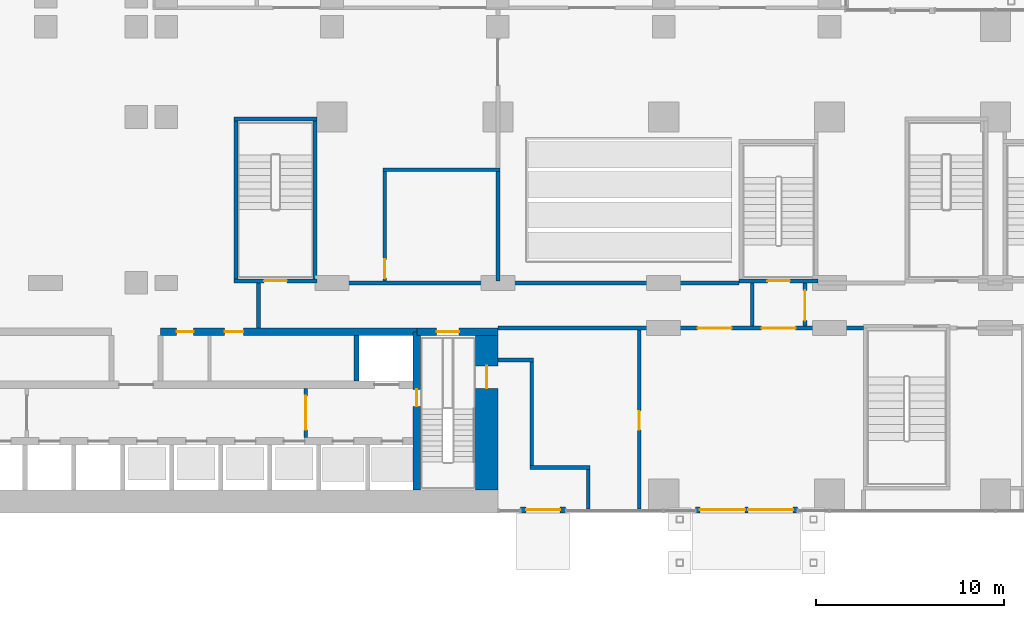
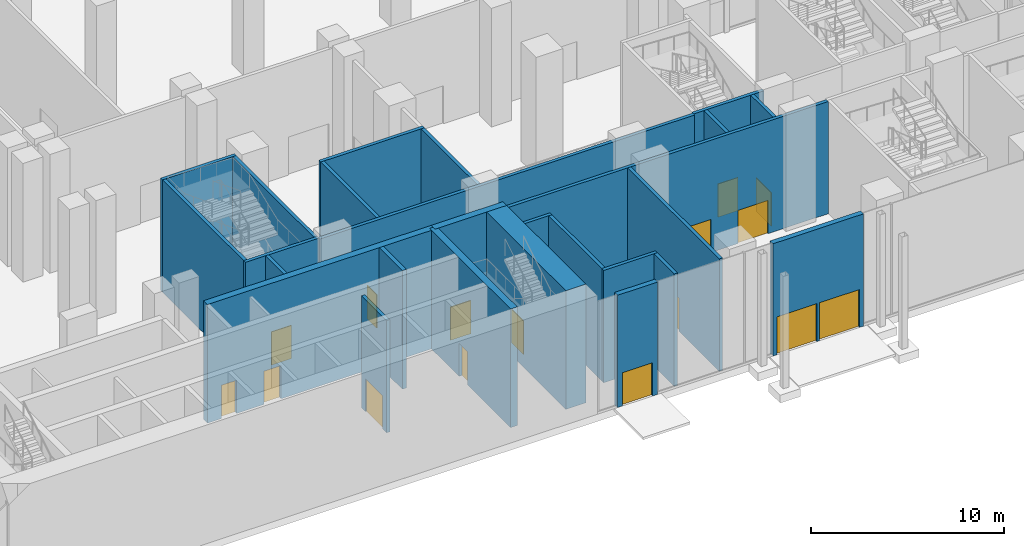
# One storey, part 25 of 41: 26 walls, 16 doors, 16 openings.
"""IFC4 building model written with IfcOpenShell, lengths in metres."""

from ifc_helpers import new_model, si_unit, direction, frame, frame_2d, origin, place, context, subcontext, project, spatial, rectangle, extrude, material, layer, layer_set, type_object, element, fill, save


model = new_model("IFC4")

# Units and contexts
model_context = context("Model", 3, precision=1e-05, world=origin(), true_north=direction((0.0, 1.0)))
body_context = subcontext(model_context, "Body", "Model", "MODEL_VIEW")
ifc_project = project(units=[si_unit("LENGTHUNIT", "METRE"), si_unit("AREAUNIT", "SQUARE_METRE"), si_unit("VOLUMEUNIT", "CUBIC_METRE"), si_unit("PLANEANGLEUNIT", "RADIAN"), si_unit("MASSUNIT", "GRAM", prefix="KILO")], contexts=[model_context])

# Site, building, storey
site_placement = place(None, origin())
site = spatial("IfcSite", under=ifc_project, at=site_placement, CompositionType="ELEMENT")
building_placement = place(site_placement, origin())
building = spatial("IfcBuilding", under=site, at=building_placement, Name="Kemantara Hotel Tower", CompositionType="ELEMENT")
storey_placement = place(building_placement, origin())
storey = spatial("IfcBuildingStorey", under=building, at=storey_placement, Name="L00", CompositionType="ELEMENT", Elevation=0.0)

# Wall, openings, doors
ifc_material_1 = material(Name="Bronze-clad aluminium panel", Category="aluminium")
ifc_layer_1 = layer(ifc_material_1, 0.300048828125)
ifc_layer_set_1 = layer_set([ifc_layer_1], Name="Bronze-clad aluminium panel")
wall_type_1 = type_object("IfcWallType", Name="BRONZE-CLAD EXTERNAL WALL 300", PredefinedType="STANDARD", material=ifc_layer_set_1)
wall_1_placement = place(storey_placement, frame((60.89990234375, 0.14990234375, 0.0), z_axis=(0.0, 0.0, 1.0), x_axis=(-1.0, 0.0, 0.0)))
wall_1 = element("IfcWall", 1, at=wall_1_placement, inside=storey, type_object=wall_type_1, Name="EXTERNAL WALL AT ENTRANCE", PredefinedType="STANDARD", context=body_context, shape_type="SweptSolid", body=[
    extrude(rectangle(XDim=5.39990234375, YDim=0.300048828125, at=frame_2d((2.699951171875, 0.0))), origin(), (0.0, 0.0, 1.0), 7.10009765625),
])
opening_1_placement = place(wall_1_placement, frame((0.22509765625, 0.0, 0.0)))
opening_1 = element("IfcOpeningElement", 2, at=opening_1_placement, cuts=wall_1, Name="Opening L00-B037", PredefinedType="OPENING", context=body_context, shape_type="SweptSolid", body=[
    extrude(rectangle(XDim=2.39990234375, YDim=2.39990234375, at=frame_2d((1.199951171875, 1.199951171875))), frame((0.0, 0.159912109375, 0.0), z_axis=(0.0, -1.0, 0.0), x_axis=(1.0, 0.0, 0.0)), (0.0, 0.0, 1.0), 0.320068359375),
])
opening_2_placement = place(wall_1_placement, frame((2.77490234375, 0.0, 0.0)))
opening_2 = element("IfcOpeningElement", 3, at=opening_2_placement, cuts=wall_1, Name="Opening L00-B038", PredefinedType="OPENING", context=body_context, shape_type="SweptSolid", body=[
    extrude(rectangle(XDim=2.39990234375, YDim=2.39990234375, at=frame_2d((1.199951171875, 1.199951171875))), frame((0.0, 0.159912109375, 0.0), z_axis=(0.0, -1.0, 0.0), x_axis=(1.0, 0.0, 0.0)), (0.0, 0.0, 1.0), 0.320068359375),
])
ifc_material_2 = material(Name="Toughened glass door leaf", Category="glass")
door_type_1 = type_object("IfcDoorType", Name="AUTOMATIC SLIDING GLASS DOOR 2400 X 2400", OperationType="DOUBLE_DOOR_SLIDING", PredefinedType="DOOR", material=ifc_material_2)
door_1_placement = place(opening_1_placement, origin())
door_1 = element("IfcDoor", 4, at=door_1_placement, inside=storey, type_object=door_type_1, Name="ENTRANCE DOOR", OperationType="DOUBLE_DOOR_SLIDING", OverallHeight=2.39990234375, OverallWidth=2.39990234375, PredefinedType="DOOR", context=body_context, shape_type="SweptSolid", body=[
    extrude(rectangle(XDim=2.39990234375, YDim=2.39990234375, at=frame_2d((1.199951171875, 1.199951171875))), frame((0.0, 0.02490234375, 0.0), z_axis=(0.0, -1.0, 0.0), x_axis=(1.0, 0.0, 0.0)), (0.0, 0.0, 1.0), 0.050048828125),
])
fill(opening_1, door_1)
door_2_placement = place(opening_2_placement, origin())
door_2 = element("IfcDoor", 5, at=door_2_placement, inside=storey, type_object=door_type_1, Name="ENTRANCE DOOR", OperationType="DOUBLE_DOOR_SLIDING", OverallHeight=2.39990234375, OverallWidth=2.39990234375, PredefinedType="DOOR", context=body_context, shape_type="SweptSolid", body=[
    extrude(rectangle(XDim=2.39990234375, YDim=2.39990234375, at=frame_2d((1.199951171875, 1.199951171875))), frame((0.0, 0.02490234375, 0.0), z_axis=(0.0, -1.0, 0.0), x_axis=(1.0, 0.0, 0.0)), (0.0, 0.0, 1.0), 0.050048828125),
])
fill(opening_2, door_2)

# Wall, opening, door
wall_2_placement = place(storey_placement, frame((48.60009765625, 0.14990234375, 0.0), z_axis=(0.0, 0.0, 1.0), x_axis=(-1.0, 0.0, 0.0)))
wall_2 = element("IfcWall", 6, at=wall_2_placement, inside=storey, type_object=wall_type_1, Name="EXTERNAL WALL AT ENTRANCE", PredefinedType="STANDARD", context=body_context, shape_type="SweptSolid", body=[
    extrude(rectangle(XDim=2.400146484375, YDim=0.300048828125, at=frame_2d((1.2001953125, 0.0))), origin(), (0.0, 0.0, 1.0), 7.10009765625),
])
opening_3_placement = place(wall_2_placement, frame((0.300048828125, 0.0, 0.0)))
opening_3 = element("IfcOpeningElement", 7, at=opening_3_placement, cuts=wall_2, Name="Opening L00-B041", PredefinedType="OPENING", context=body_context, shape_type="SweptSolid", body=[
    extrude(rectangle(XDim=1.800048828125, YDim=2.10009765625, at=frame_2d((0.89990234375, 1.050048828125))), frame((0.0, 0.159912109375, 0.0), z_axis=(0.0, -1.0, 0.0), x_axis=(1.0, 0.0, 0.0)), (0.0, 0.0, 1.0), 0.320068359375),
])
ifc_material_3 = material(Name="Galvanised steel door leaf", Category="steel")
door_type_2 = type_object("IfcDoorType", Name="FIRE-RATED STEEL DOOR DOUBLE LEAF 1800 X 2100", OperationType="DOUBLE_DOOR_SINGLE_SWING", PredefinedType="DOOR", material=ifc_material_3)
door_3_placement = place(opening_3_placement, origin())
door_3 = element("IfcDoor", 8, at=door_3_placement, inside=storey, type_object=door_type_2, Name="ENTRANCE DOOR", OperationType="DOUBLE_DOOR_SINGLE_SWING", OverallHeight=2.10009765625, OverallWidth=1.800048828125, PredefinedType="DOOR", context=body_context, shape_type="SweptSolid", body=[
    extrude(rectangle(XDim=1.800048828125, YDim=2.10009765625, at=frame_2d((0.89990234375, 1.050048828125))), frame((0.0, 0.02490234375, 0.0), z_axis=(0.0, -1.0, 0.0), x_axis=(1.0, 0.0, 0.0)), (0.0, 0.0, 1.0), 0.050048828125),
])
fill(opening_3, door_3)

ifc_material_4 = material(Name="Concrete fc 70 MPa", Category="concrete")
ifc_layer_2 = layer(ifc_material_4, 1.199951171875)
ifc_layer_set_2 = layer_set([ifc_layer_2], Name="Concrete fc 70 MPa")
wall_type_2 = type_object("IfcWallType", Name="CORE WALL 1200 FC70", PredefinedType="SHEAR", material=ifc_layer_set_2)
wall_3_placement = place(storey_placement, frame((44.39990234375, 1.199951171875, 0.0), z_axis=(0.0, 0.0, 1.0), x_axis=(0.0, 1.0, 0.0)))
wall_3 = element("IfcWall", 9, at=wall_3_placement, inside=storey, type_object=wall_type_2, Name="CORE WALL CW-E", PredefinedType="SHEAR", context=body_context, shape_type="SweptSolid", body=[
    extrude(rectangle(XDim=8.60009765625, YDim=1.199951171875, at=frame_2d((4.300048828125, 0.0))), origin(), (0.0, 0.0, 1.0), 7.5),
])
opening_4_placement = place(wall_3_placement, frame((5.39990234375, 0.0, 0.0)))
opening_4 = element("IfcOpeningElement", 10, at=opening_4_placement, cuts=wall_3, Name="Opening ST2-X", PredefinedType="OPENING", context=body_context, shape_type="SweptSolid", body=[
    extrude(rectangle(XDim=1.199951171875, YDim=2.10009765625, at=frame_2d((0.60009765625, 1.050048828125))), frame((0.0, 0.60986328125, 0.0), z_axis=(0.0, -1.0, 0.0), x_axis=(1.0, 0.0, 0.0)), (0.0, 0.0, 1.0), 1.219970703125),
])
ifc_material_5 = material(Name="Steel fire door", Category="steel")
door_type_3 = type_object("IfcDoorType", Name="Fire door FD90 1200 x 2100", OperationType="NOTDEFINED", PredefinedType="DOOR", material=ifc_material_5)
door_4_placement = place(opening_4_placement, frame((1.199951171875, 0.0, 0.0), z_axis=(0.0, 0.0, 1.0), x_axis=(-1.0, 0.0, 0.0)))
door_4 = element("IfcDoor", 11, at=door_4_placement, inside=storey, type_object=door_type_3, Name="Stair ST2 exit door to its exit passage", OperationType="SINGLE_SWING_LEFT", OverallHeight=2.10009765625, OverallWidth=1.199951171875, PredefinedType="DOOR", context=body_context, shape_type="SweptSolid", body=[
    extrude(rectangle(XDim=1.199951171875, YDim=2.10009765625, at=frame_2d((0.60009765625, 1.050048828125))), frame((0.0, 0.02490234375, 0.0), z_axis=(0.0, -1.0, 0.0), x_axis=(1.0, 0.0, 0.0)), (0.0, 0.0, 1.0), 0.050048828125),
])
fill(opening_4, door_4)

# Wall
ifc_layer_3 = layer(ifc_material_4, 0.25)
ifc_layer_set_3 = layer_set([ifc_layer_3], Name="Concrete fc 70 MPa")
wall_type_3 = type_object("IfcWallType", Name="CORE WALL 250 FC70", PredefinedType="SHEAR", material=ifc_layer_set_3)
wall_4_placement = place(storey_placement, frame((37.5, 7.0, 0.0), z_axis=(0.0, 0.0, 1.0), x_axis=(0.0, 1.0, 0.0)))
element("IfcWall", 12, at=wall_4_placement, inside=storey, type_object=wall_type_3, Name="CORE WALL CW-DN37.5", PredefinedType="SHEAR", context=body_context, shape_type="SweptSolid", body=[
    extrude(rectangle(XDim=2.39990234375, YDim=0.25, at=frame_2d((1.199951171875, 0.0))), origin(), (0.0, 0.0, 1.0), 7.5),
])

# Wall, opening, door
ifc_layer_4 = layer(ifc_material_4, 0.39990234375)
ifc_layer_set_4 = layer_set([ifc_layer_4], Name="Concrete fc 70 MPa")
wall_type_4 = type_object("IfcWallType", Name="CORE WALL 400 FC70", PredefinedType="SHEAR", material=ifc_layer_set_4)
wall_5_placement = place(storey_placement, frame((40.699951171875, 9.60009765625, 0.0), z_axis=(0.0, 0.0, 1.0), x_axis=(1.0, 0.0, 0.0)))
wall_5 = element("IfcWall", 13, at=wall_5_placement, inside=storey, type_object=wall_type_4, Name="CORE WALL CW-N2", PredefinedType="SHEAR", context=body_context, shape_type="SweptSolid", body=[
    extrude(rectangle(XDim=4.300048828125, YDim=0.39990234375, at=frame_2d((2.14990234375, 0.0))), origin(), (0.0, 0.0, 1.0), 7.5),
])
opening_5_placement = place(wall_5_placement, frame((1.050048828125, 0.0, 0.0)))
opening_5 = element("IfcOpeningElement", 14, at=opening_5_placement, cuts=wall_5, Name="Opening C03-ST2-C", PredefinedType="OPENING", context=body_context, shape_type="SweptSolid", body=[
    extrude(rectangle(XDim=1.199951171875, YDim=2.10009765625, at=frame_2d((0.60009765625, 1.050048828125))), frame((0.0, 0.2099609375, 0.0), z_axis=(0.0, -1.0, 0.0), x_axis=(1.0, 0.0, 0.0)), (0.0, 0.0, 1.0), 0.419921875),
])
door_5_placement = place(opening_5_placement, origin())
door_5 = element("IfcDoor", 15, at=door_5_placement, inside=storey, type_object=door_type_3, Name="Stair ST2 door to corridor", OperationType="SINGLE_SWING_LEFT", OverallHeight=2.10009765625, OverallWidth=1.199951171875, PredefinedType="DOOR", context=body_context, shape_type="SweptSolid", body=[
    extrude(rectangle(XDim=1.199951171875, YDim=2.10009765625, at=frame_2d((0.60009765625, 1.050048828125))), frame((0.0, 0.02490234375, 0.0), z_axis=(0.0, -1.0, 0.0), x_axis=(1.0, 0.0, 0.0)), (0.0, 0.0, 1.0), 0.050048828125),
])
fill(opening_5, door_5)

# Wall, openings, doors
wall_6_placement = place(storey_placement, frame((27.10009765625, 9.60009765625, 0.0), z_axis=(0.0, 0.0, 1.0), x_axis=(1.0, 0.0, 0.0)))
wall_6 = element("IfcWall", 16, at=wall_6_placement, inside=storey, type_object=wall_type_4, Name="CORE WALL CW-NN2", PredefinedType="SHEAR", context=body_context, shape_type="SweptSolid", body=[
    extrude(rectangle(XDim=13.599853515625, YDim=0.39990234375, at=frame_2d((6.7998046875, 0.0))), origin(), (0.0, 0.0, 1.0), 7.5),
])
opening_6_placement = place(wall_6_placement, frame((0.85009765625, 0.0, 0.0)))
opening_6 = element("IfcOpeningElement", 17, at=opening_6_placement, cuts=wall_6, Name="Opening C03-R-NE1", PredefinedType="OPENING", context=body_context, shape_type="SweptSolid", body=[
    extrude(rectangle(XDim=0.89990234375, YDim=2.10009765625, at=frame_2d((0.449951171875, 1.050048828125))), frame((0.0, 0.2099609375, 0.0), z_axis=(0.0, -1.0, 0.0), x_axis=(1.0, 0.0, 0.0)), (0.0, 0.0, 1.0), 0.419921875),
])
opening_7_placement = place(wall_6_placement, frame((3.39990234375, 0.0, 0.0)))
opening_7 = element("IfcOpeningElement", 18, at=opening_7_placement, cuts=wall_6, Name="Opening C03-R-NE2", PredefinedType="OPENING", context=body_context, shape_type="SweptSolid", body=[
    extrude(rectangle(XDim=1.0, YDim=2.10009765625, at=frame_2d((0.5, 1.050048828125))), frame((0.0, 0.2099609375, 0.0), z_axis=(0.0, -1.0, 0.0), x_axis=(1.0, 0.0, 0.0)), (0.0, 0.0, 1.0), 0.419921875),
])
door_type_4 = type_object("IfcDoorType", Name="Fire door FD30S 1000 x 2100", OperationType="NOTDEFINED", PredefinedType="DOOR", material=ifc_material_5)
door_6_placement = place(opening_7_placement, frame((1.0, 0.0, 0.0), z_axis=(0.0, 0.0, 1.0), x_axis=(-1.0, 0.0, 0.0)))
door_6 = element("IfcDoor", 19, at=door_6_placement, inside=storey, type_object=door_type_4, Name="Guest Pantry door", OperationType="SINGLE_SWING_RIGHT", OverallHeight=2.10009765625, OverallWidth=1.0, PredefinedType="DOOR", context=body_context, shape_type="SweptSolid", body=[
    extrude(rectangle(XDim=1.0, YDim=2.10009765625, at=frame_2d((0.5, 1.050048828125))), frame((0.0, 0.02490234375, 0.0), z_axis=(0.0, -1.0, 0.0), x_axis=(1.0, 0.0, 0.0)), (0.0, 0.0, 1.0), 0.050048828125),
])
fill(opening_7, door_6)
door_type_5 = type_object("IfcDoorType", Name="Fire door FD60 900 x 2100", OperationType="NOTDEFINED", PredefinedType="DOOR", material=ifc_material_5)
door_7_placement = place(opening_6_placement, frame((0.89990234375, 0.0, 0.0), z_axis=(0.0, 0.0, 1.0), x_axis=(-1.0, 0.0, 0.0)))
door_7 = element("IfcDoor", 20, at=door_7_placement, inside=storey, type_object=door_type_5, Name="Electrical Riser Room door", OperationType="SINGLE_SWING_RIGHT", OverallHeight=2.10009765625, OverallWidth=0.89990234375, PredefinedType="DOOR", context=body_context, shape_type="SweptSolid", body=[
    extrude(rectangle(XDim=0.89990234375, YDim=2.10009765625, at=frame_2d((0.449951171875, 1.050048828125))), frame((0.0, 0.02490234375, 0.0), z_axis=(0.0, -1.0, 0.0), x_axis=(1.0, 0.0, 0.0)), (0.0, 0.0, 1.0), 0.050048828125),
])
fill(opening_6, door_7)

# Wall, opening, door
wall_7_placement = place(storey_placement, frame((40.699951171875, 1.199951171875, 0.0), z_axis=(0.0, 0.0, 1.0), x_axis=(0.0, 1.0, 0.0)))
wall_7 = element("IfcWall", 21, at=wall_7_placement, inside=storey, type_object=wall_type_4, Name="CORE WALL CW-ST2W", PredefinedType="SHEAR", context=body_context, shape_type="SweptSolid", body=[
    extrude(rectangle(XDim=8.400146484375, YDim=0.39990234375, at=frame_2d((4.2001953125, 0.0))), origin(), (0.0, 0.0, 1.0), 7.5),
])
opening_8_placement = place(wall_7_placement, frame((4.449951171875, 0.0, 0.0)))
opening_8 = element("IfcOpeningElement", 22, at=opening_8_placement, cuts=wall_7, Name="Opening C03-ST2-F", PredefinedType="OPENING", context=body_context, shape_type="SweptSolid", body=[
    extrude(rectangle(XDim=0.89990234375, YDim=2.10009765625, at=frame_2d((0.449951171875, 1.050048828125))), frame((0.0, 0.2099609375, 0.0), z_axis=(0.0, -1.0, 0.0), x_axis=(1.0, 0.0, 0.0)), (0.0, 0.0, 1.0), 0.419921875),
])
door_type_6 = type_object("IfcDoorType", Name="Fire door FD90 900 x 2100", OperationType="NOTDEFINED", PredefinedType="DOOR", material=ifc_material_5)
door_8_placement = place(opening_8_placement, origin())
door_8 = element("IfcDoor", 23, at=door_8_placement, inside=storey, type_object=door_type_6, Name="Stair ST2 door to firefighting lobby", OperationType="SINGLE_SWING_RIGHT", OverallHeight=2.10009765625, OverallWidth=0.89990234375, PredefinedType="DOOR", context=body_context, shape_type="SweptSolid", body=[
    extrude(rectangle(XDim=0.89990234375, YDim=2.10009765625, at=frame_2d((0.449951171875, 1.050048828125))), frame((0.0, 0.02490234375, 0.0), z_axis=(0.0, -1.0, 0.0), x_axis=(1.0, 0.0, 0.0)), (0.0, 0.0, 1.0), 0.050048828125),
])
fill(opening_8, door_8)

ifc_material_6 = material(Name="Concrete fc 40 MPa", Category="concrete")
ifc_layer_5 = layer(ifc_material_6, 0.199951171875)
ifc_layer_set_5 = layer_set([ifc_layer_5], Name="Concrete fc 40 MPa")
wall_type_5 = type_object("IfcWallType", Name="Concrete stair wall 200 mm", PredefinedType="SHEAR", material=ifc_layer_set_5)
wall_8_placement = place(storey_placement, frame((57.800048828125, 12.300048828125, 0.0), z_axis=(0.0, 0.0, 1.0), x_axis=(1.0, 0.0, 0.0)))
wall_8 = element("IfcWall", 24, at=wall_8_placement, inside=storey, type_object=wall_type_5, Name="Stair ST3 enclosure wall with door", PredefinedType="SHEAR", context=body_context, shape_type="SweptSolid", body=[
    extrude(rectangle(XDim=4.199951171875, YDim=0.199951171875, at=frame_2d((2.10009765625, 0.0))), origin(), (0.0, 0.0, 1.0), 7.10009765625),
])
opening_9_placement = place(wall_8_placement, frame((1.5, 0.0, 0.0)))
opening_9 = element("IfcOpeningElement", 25, at=opening_9_placement, cuts=wall_8, Name="Opening ST3-C", PredefinedType="OPENING", context=body_context, shape_type="SweptSolid", body=[
    extrude(rectangle(XDim=1.199951171875, YDim=2.10009765625, at=frame_2d((0.60009765625, 1.050048828125))), frame((0.0, 0.10986328125, 0.0), z_axis=(0.0, -1.0, 0.0), x_axis=(1.0, 0.0, 0.0)), (0.0, 0.0, 1.0), 0.219970703125),
])
door_9_placement = place(opening_9_placement, frame((1.199951171875, 0.0, 0.0), z_axis=(0.0, 0.0, 1.0), x_axis=(-1.0, 0.0, 0.0)))
door_9 = element("IfcDoor", 26, at=door_9_placement, inside=storey, type_object=door_type_3, Name="Stair ST3 door", OperationType="SINGLE_SWING_LEFT", OverallHeight=2.10009765625, OverallWidth=1.199951171875, PredefinedType="DOOR", context=body_context, shape_type="SweptSolid", body=[
    extrude(rectangle(XDim=1.199951171875, YDim=2.10009765625, at=frame_2d((0.60009765625, 1.050048828125))), frame((0.0, 0.02490234375, 0.0), z_axis=(0.0, -1.0, 0.0), x_axis=(1.0, 0.0, 0.0)), (0.0, 0.0, 1.0), 0.050048828125),
])
fill(opening_9, door_9)

wall_9_placement = place(storey_placement, frame((31.0, 12.300048828125, 0.0), z_axis=(0.0, 0.0, 1.0), x_axis=(1.0, 0.0, 0.0)))
wall_9 = element("IfcWall", 27, at=wall_9_placement, inside=storey, type_object=wall_type_5, Name="Stair PS3 enclosure wall with door", PredefinedType="SHEAR", context=body_context, shape_type="SweptSolid", body=[
    extrude(rectangle(XDim=4.39990234375, YDim=0.199951171875, at=frame_2d((2.199951171875, 0.0))), origin(), (0.0, 0.0, 1.0), 7.10009765625),
])
opening_10_placement = place(wall_9_placement, frame((1.60009765625, 0.0, 0.0)))
opening_10 = element("IfcOpeningElement", 28, at=opening_10_placement, cuts=wall_9, Name="Opening PS3-C", PredefinedType="OPENING", context=body_context, shape_type="SweptSolid", body=[
    extrude(rectangle(XDim=1.199951171875, YDim=2.10009765625, at=frame_2d((0.60009765625, 1.050048828125))), frame((0.0, 0.10986328125, 0.0), z_axis=(0.0, -1.0, 0.0), x_axis=(1.0, 0.0, 0.0)), (0.0, 0.0, 1.0), 0.219970703125),
])
door_10_placement = place(opening_10_placement, frame((1.199951171875, 0.0, 0.0), z_axis=(0.0, 0.0, 1.0), x_axis=(-1.0, 0.0, 0.0)))
door_10 = element("IfcDoor", 29, at=door_10_placement, inside=storey, type_object=door_type_3, Name="Stair PS3 door", OperationType="SINGLE_SWING_RIGHT", OverallHeight=2.10009765625, OverallWidth=1.199951171875, PredefinedType="DOOR", context=body_context, shape_type="SweptSolid", body=[
    extrude(rectangle(XDim=1.199951171875, YDim=2.10009765625, at=frame_2d((0.60009765625, 1.050048828125))), frame((0.0, 0.02490234375, 0.0), z_axis=(0.0, -1.0, 0.0), x_axis=(1.0, 0.0, 0.0)), (0.0, 0.0, 1.0), 0.050048828125),
])
fill(opening_10, door_10)

# Walls
wall_10_placement = place(storey_placement, frame((31.0, 20.89990234375, 0.0), z_axis=(0.0, 0.0, 1.0), x_axis=(1.0, 0.0, 0.0)))
element("IfcWall", 30, at=wall_10_placement, inside=storey, type_object=wall_type_5, Name="Stair PS3 enclosure wall N", PredefinedType="SHEAR", context=body_context, shape_type="SweptSolid", body=[
    extrude(rectangle(XDim=4.39990234375, YDim=0.199951171875, at=frame_2d((2.199951171875, 0.0))), origin(), (0.0, 0.0, 1.0), 7.10009765625),
])
for number, where, z_axis, x_axis, name in (
    (31, (31.10009765625, 12.39990234375, 0.0), (0.0, 0.0, 1.0), (0.0, 1.0, 0.0), "Stair PS3 enclosure wall W"),
    (32, (35.300048828125, 12.39990234375, 0.0), (0.0, 0.0, 1.0), (0.0, 1.0, 0.0), "Stair PS3 enclosure wall E"),
):
    element("IfcWall", number, at=place(storey_placement, frame(where, z_axis=z_axis, x_axis=x_axis)), inside=storey, type_object=wall_type_5, Name=name, PredefinedType="SHEAR", context=body_context, shape_type="SweptSolid", body=[
        extrude(rectangle(XDim=8.400146484375, YDim=0.199951171875, at=frame_2d((4.2001953125, 0.0))), origin(), (0.0, 0.0, 1.0), 7.10009765625),
    ])
ifc_material_7 = material(Name="Clay brick masonry", Category="masonry")
ifc_layer_6 = layer(ifc_material_7, 0.199951171875)
ifc_layer_set_6 = layer_set([ifc_layer_6], Name="Clay brick masonry")
wall_type_6 = type_object("IfcWallType", Name="FIRE-RATED CLAY BRICK WALL 200 EI 120", PredefinedType="PARTITIONING", material=ifc_layer_set_6)
wall_11_placement = place(storey_placement, frame((38.89990234375, 18.199951171875, 0.0), z_axis=(0.0, 0.0, 1.0), x_axis=(1.0, 0.0, 0.0)))
element("IfcWall", 33, at=wall_11_placement, inside=storey, type_object=wall_type_6, Name="FIRE WALL", PredefinedType="PARTITIONING", context=body_context, shape_type="SweptSolid", body=[
    extrude(rectangle(XDim=6.2001953125, YDim=0.199951171875, at=frame_2d((3.10009765625, 0.0))), origin(), (0.0, 0.0, 1.0), 7.10009765625),
])

# Wall, opening, door
wall_12_placement = place(storey_placement, frame((39.0, 12.300048828125, 0.0), z_axis=(0.0, 0.0, 1.0), x_axis=(0.0, 1.0, 0.0)))
wall_12 = element("IfcWall", 34, at=wall_12_placement, inside=storey, type_object=wall_type_6, Name="FIRE WALL", PredefinedType="PARTITIONING", context=body_context, shape_type="SweptSolid", body=[
    extrude(rectangle(XDim=5.800048828125, YDim=0.199951171875, at=frame_2d((2.89990234375, 0.0))), origin(), (0.0, 0.0, 1.0), 7.10009765625),
])
opening_11_placement = place(wall_12_placement, frame((0.14990234375, 0.0, 0.0)))
opening_11 = element("IfcOpeningElement", 35, at=opening_11_placement, cuts=wall_12, Name="Opening L00-B028", PredefinedType="OPENING", context=body_context, shape_type="SweptSolid", body=[
    extrude(rectangle(XDim=1.0, YDim=2.10009765625, at=frame_2d((0.5, 1.050048828125))), frame((0.0, 0.10986328125, 0.0), z_axis=(0.0, -1.0, 0.0), x_axis=(1.0, 0.0, 0.0)), (0.0, 0.0, 1.0), 0.219970703125),
])
door_type_7 = type_object("IfcDoorType", Name="FIRE-RATED STEEL DOOR 1000 X 2100", OperationType="SINGLE_SWING_LEFT", PredefinedType="DOOR", material=ifc_material_3)
door_11_placement = place(opening_11_placement, origin())
door_11 = element("IfcDoor", 36, at=door_11_placement, inside=storey, type_object=door_type_7, Name="FIRE-RATED STEEL DOOR", OperationType="SINGLE_SWING_LEFT", OverallHeight=2.10009765625, OverallWidth=1.0, PredefinedType="DOOR", context=body_context, shape_type="SweptSolid", body=[
    extrude(rectangle(XDim=1.0, YDim=2.10009765625, at=frame_2d((0.5, 1.050048828125))), frame((0.0, 0.02490234375, 0.0), z_axis=(0.0, -1.0, 0.0), x_axis=(1.0, 0.0, 0.0)), (0.0, 0.0, 1.0), 0.050048828125),
])
fill(opening_11, door_11)

# Walls
wall_13_placement = place(storey_placement, frame((45.0, 12.300048828125, 0.0), z_axis=(0.0, 0.0, 1.0), x_axis=(0.0, 1.0, 0.0)))
element("IfcWall", 37, at=wall_13_placement, inside=storey, type_object=wall_type_6, Name="FIRE WALL", PredefinedType="PARTITIONING", context=body_context, shape_type="SweptSolid", body=[
    extrude(rectangle(XDim=5.800048828125, YDim=0.199951171875, at=frame_2d((2.89990234375, 0.0))), origin(), (0.0, 0.0, 1.0), 7.10009765625),
])
ifc_material_8 = material(Name="Fire-rated gypsum board partition")
ifc_layer_7 = layer(ifc_material_8, 0.199951171875)
ifc_layer_set_7 = layer_set([ifc_layer_7], Name="Fire-rated gypsum board partition")
wall_type_7 = type_object("IfcWallType", Name="FIRE-RATED GYPSUM PARTITION 200 EI 60", PredefinedType="PARTITIONING", material=ifc_layer_set_7)
wall_14_placement = place(storey_placement, frame((46.699951171875, 2.39990234375, 0.0), z_axis=(0.0, 0.0, 1.0), x_axis=(1.0, 0.0, 0.0)))
element("IfcWall", 38, at=wall_14_placement, inside=storey, type_object=wall_type_7, Name="FIRE-RATED PARTITION", PredefinedType="PARTITIONING", context=body_context, shape_type="SweptSolid", body=[
    extrude(rectangle(XDim=3.199951171875, YDim=0.199951171875, at=frame_2d((1.60009765625, 0.0))), origin(), (0.0, 0.0, 1.0), 7.10009765625),
])
wall_15_placement = place(storey_placement, frame((45.0, 8.10009765625, 0.0), z_axis=(0.0, 0.0, 1.0), x_axis=(1.0, 0.0, 0.0)))
element("IfcWall", 39, at=wall_15_placement, inside=storey, type_object=wall_type_7, Name="FIRE-RATED PARTITION", PredefinedType="PARTITIONING", context=body_context, shape_type="SweptSolid", body=[
    extrude(rectangle(XDim=1.89990234375, YDim=0.199951171875, at=frame_2d((0.949951171875, 0.0))), origin(), (0.0, 0.0, 1.0), 7.10009765625),
])

# Wall, openings, doors
wall_16_placement = place(storey_placement, frame((45.0, 9.800048828125, 0.0), z_axis=(0.0, 0.0, 1.0), x_axis=(1.0, 0.0, 0.0)))
wall_16 = element("IfcWall", 40, at=wall_16_placement, inside=storey, type_object=wall_type_7, Name="FIRE-RATED PARTITION", PredefinedType="PARTITIONING", context=body_context, shape_type="SweptSolid", body=[
    extrude(rectangle(XDim=19.39990234375, YDim=0.199951171875, at=frame_2d((9.699951171875, 0.0))), origin(), (0.0, 0.0, 1.0), 7.10009765625),
])
opening_12_placement = place(wall_16_placement, frame((10.60009765625, 0.0, 0.0)))
opening_12 = element("IfcOpeningElement", 41, at=opening_12_placement, cuts=wall_16, Name="Opening L00-B002", PredefinedType="OPENING", context=body_context, shape_type="SweptSolid", body=[
    extrude(rectangle(XDim=1.800048828125, YDim=2.10009765625, at=frame_2d((0.89990234375, 1.050048828125))), frame((0.0, 0.10986328125, 0.0), z_axis=(0.0, -1.0, 0.0), x_axis=(1.0, 0.0, 0.0)), (0.0, 0.0, 1.0), 0.219970703125),
])
opening_13_placement = place(wall_16_placement, frame((14.0, 0.0, 0.0)))
opening_13 = element("IfcOpeningElement", 42, at=opening_13_placement, cuts=wall_16, Name="Opening L00-B003", PredefinedType="OPENING", context=body_context, shape_type="SweptSolid", body=[
    extrude(rectangle(XDim=1.800048828125, YDim=2.10009765625, at=frame_2d((0.89990234375, 1.050048828125))), frame((0.0, 0.10986328125, 0.0), z_axis=(0.0, -1.0, 0.0), x_axis=(1.0, 0.0, 0.0)), (0.0, 0.0, 1.0), 0.219970703125),
])
door_12_placement = place(opening_12_placement, frame((1.800048828125, 0.0, 0.0), z_axis=(0.0, 0.0, 1.0), x_axis=(-1.0, 0.0, 0.0)))
door_12 = element("IfcDoor", 43, at=door_12_placement, inside=storey, type_object=door_type_2, Name="FIRE-RATED STEEL DOOR DOUBLE LEAF", OperationType="DOUBLE_DOOR_SINGLE_SWING", OverallHeight=2.10009765625, OverallWidth=1.800048828125, PredefinedType="DOOR", context=body_context, shape_type="SweptSolid", body=[
    extrude(rectangle(XDim=1.800048828125, YDim=2.10009765625, at=frame_2d((0.89990234375, 1.050048828125))), frame((0.0, 0.02490234375, 0.0), z_axis=(0.0, -1.0, 0.0), x_axis=(1.0, 0.0, 0.0)), (0.0, 0.0, 1.0), 0.050048828125),
])
fill(opening_12, door_12)
door_13_placement = place(opening_13_placement, frame((1.800048828125, 0.0, 0.0), z_axis=(0.0, 0.0, 1.0), x_axis=(-1.0, 0.0, 0.0)))
door_13 = element("IfcDoor", 44, at=door_13_placement, inside=storey, type_object=door_type_2, Name="FIRE-RATED STEEL DOOR DOUBLE LEAF", OperationType="DOUBLE_DOOR_SINGLE_SWING", OverallHeight=2.10009765625, OverallWidth=1.800048828125, PredefinedType="DOOR", context=body_context, shape_type="SweptSolid", body=[
    extrude(rectangle(XDim=1.800048828125, YDim=2.10009765625, at=frame_2d((0.89990234375, 1.050048828125))), frame((0.0, 0.02490234375, 0.0), z_axis=(0.0, -1.0, 0.0), x_axis=(1.0, 0.0, 0.0)), (0.0, 0.0, 1.0), 0.050048828125),
])
fill(opening_13, door_13)

# Walls
wall_17_placement = place(storey_placement, frame((35.39990234375, 12.199951171875, 0.0), z_axis=(0.0, 0.0, 1.0), x_axis=(1.0, 0.0, 0.0)))
element("IfcWall", 45, at=wall_17_placement, inside=storey, type_object=wall_type_7, Name="FIRE-RATED PARTITION", PredefinedType="PARTITIONING", context=body_context, shape_type="SweptSolid", body=[
    extrude(rectangle(XDim=22.400146484375, YDim=0.199951171875, at=frame_2d((11.2001953125, 0.0))), origin(), (0.0, 0.0, 1.0), 7.10009765625),
])
wall_18_placement = place(storey_placement, frame((46.800048828125, 2.5, 0.0), z_axis=(0.0, 0.0, 1.0), x_axis=(0.0, 1.0, 0.0)))
element("IfcWall", 46, at=wall_18_placement, inside=storey, type_object=wall_type_7, Name="FIRE-RATED PARTITION", PredefinedType="PARTITIONING", context=body_context, shape_type="SweptSolid", body=[
    extrude(rectangle(XDim=5.5, YDim=0.199951171875, at=frame_2d((2.75, 0.0))), origin(), (0.0, 0.0, 1.0), 7.10009765625),
])
wall_19_placement = place(storey_placement, frame((49.800048828125, 0.199951171875, 0.0), z_axis=(0.0, 0.0, 1.0), x_axis=(0.0, 1.0, 0.0)))
element("IfcWall", 47, at=wall_19_placement, inside=storey, type_object=wall_type_7, Name="FIRE-RATED PARTITION", PredefinedType="PARTITIONING", context=body_context, shape_type="SweptSolid", body=[
    extrude(rectangle(XDim=2.10009765625, YDim=0.199951171875, at=frame_2d((1.050048828125, 0.0))), origin(), (0.0, 0.0, 1.0), 7.10009765625),
])
wall_20_placement = place(storey_placement, frame((58.5, 9.89990234375, 0.0), z_axis=(0.0, 0.0, 1.0), x_axis=(0.0, 1.0, 0.0)))
element("IfcWall", 48, at=wall_20_placement, inside=storey, type_object=wall_type_7, Name="FIRE-RATED PARTITION", PredefinedType="PARTITIONING", context=body_context, shape_type="SweptSolid", body=[
    extrude(rectangle(XDim=2.300048828125, YDim=0.199951171875, at=frame_2d((1.14990234375, 0.0))), origin(), (0.0, 0.0, 1.0), 7.10009765625),
])

# Wall, opening, door
wall_21_placement = place(storey_placement, frame((61.300048828125, 9.89990234375, 0.0), z_axis=(0.0, 0.0, 1.0), x_axis=(0.0, 1.0, 0.0)))
wall_21 = element("IfcWall", 49, at=wall_21_placement, inside=storey, type_object=wall_type_7, Name="FIRE-RATED PARTITION", PredefinedType="PARTITIONING", context=body_context, shape_type="SweptSolid", body=[
    extrude(rectangle(XDim=2.300048828125, YDim=0.199951171875, at=frame_2d((1.14990234375, 0.0))), origin(), (0.0, 0.0, 1.0), 7.10009765625),
])
opening_14_placement = place(wall_21_placement, frame((0.300048828125, 0.0, 0.0)))
opening_14 = element("IfcOpeningElement", 50, at=opening_14_placement, cuts=wall_21, Name="Opening L00-B001", PredefinedType="OPENING", context=body_context, shape_type="SweptSolid", body=[
    extrude(rectangle(XDim=1.60009765625, YDim=2.10009765625, at=frame_2d((0.800048828125, 1.050048828125))), frame((0.0, 0.10986328125, 0.0), z_axis=(0.0, -1.0, 0.0), x_axis=(1.0, 0.0, 0.0)), (0.0, 0.0, 1.0), 0.219970703125),
])
door_type_8 = type_object("IfcDoorType", Name="FIRE-RATED STEEL DOOR DOUBLE LEAF 1600 X 2100", OperationType="DOUBLE_DOOR_SINGLE_SWING", PredefinedType="DOOR", material=ifc_material_3)
door_14_placement = place(opening_14_placement, origin())
door_14 = element("IfcDoor", 51, at=door_14_placement, inside=storey, type_object=door_type_8, Name="FIRE-RATED STEEL DOOR DOUBLE LEAF", OperationType="DOUBLE_DOOR_SINGLE_SWING", OverallHeight=2.10009765625, OverallWidth=1.60009765625, PredefinedType="DOOR", context=body_context, shape_type="SweptSolid", body=[
    extrude(rectangle(XDim=1.60009765625, YDim=2.10009765625, at=frame_2d((0.800048828125, 1.050048828125))), frame((0.0, 0.02490234375, 0.0), z_axis=(0.0, -1.0, 0.0), x_axis=(1.0, 0.0, 0.0)), (0.0, 0.0, 1.0), 0.050048828125),
])
fill(opening_14, door_14)

# Wall
wall_22_placement = place(storey_placement, frame((32.300048828125, 9.800048828125, 0.0), z_axis=(0.0, 0.0, 1.0), x_axis=(0.0, 1.0, 0.0)))
element("IfcWall", 52, at=wall_22_placement, inside=storey, type_object=wall_type_7, Name="FIRE-RATED PARTITION", PredefinedType="PARTITIONING", context=body_context, shape_type="SweptSolid", body=[
    extrude(rectangle(XDim=2.39990234375, YDim=0.199951171875, at=frame_2d((1.199951171875, 0.0))), origin(), (0.0, 0.0, 1.0), 7.10009765625),
])

# Wall, opening, door
ifc_material_9 = material(Name="Gypsum board partition")
ifc_layer_8 = layer(ifc_material_9, 0.199951171875)
ifc_layer_set_8 = layer_set([ifc_layer_8], Name="Gypsum board partition")
wall_type_8 = type_object("IfcWallType", Name="GYPSUM BOARD PARTITION 200", PredefinedType="PARTITIONING", material=ifc_layer_set_8)
wall_23_placement = place(storey_placement, frame((52.5, 0.199951171875, 0.0), z_axis=(0.0, 0.0, 1.0), x_axis=(0.0, 1.0, 0.0)))
wall_23 = element("IfcWall", 53, at=wall_23_placement, inside=storey, type_object=wall_type_8, Name="PARTITION", PredefinedType="PARTITIONING", context=body_context, shape_type="SweptSolid", body=[
    extrude(rectangle(XDim=9.5, YDim=0.199951171875, at=frame_2d((4.75, 0.0))), origin(), (0.0, 0.0, 1.0), 7.10009765625),
])
opening_15_placement = place(wall_23_placement, frame((4.199951171875, 0.0, 0.0)))
opening_15 = element("IfcOpeningElement", 54, at=opening_15_placement, cuts=wall_23, Name="Opening L00-B006", PredefinedType="OPENING", context=body_context, shape_type="SweptSolid", body=[
    extrude(rectangle(XDim=1.0, YDim=2.10009765625, at=frame_2d((0.5, 1.050048828125))), frame((0.0, 0.10986328125, 0.0), z_axis=(0.0, -1.0, 0.0), x_axis=(1.0, 0.0, 0.0)), (0.0, 0.0, 1.0), 0.219970703125),
])
ifc_material_10 = material(Name="Timber veneer door leaf", Category="wood")
door_type_9 = type_object("IfcDoorType", Name="SINGLE LEAF TIMBER DOOR 1000 X 2100", OperationType="SINGLE_SWING_LEFT", PredefinedType="DOOR", material=ifc_material_10)
door_15_placement = place(opening_15_placement, origin())
door_15 = element("IfcDoor", 55, at=door_15_placement, inside=storey, type_object=door_type_9, Name="SINGLE LEAF TIMBER DOOR", OperationType="SINGLE_SWING_LEFT", OverallHeight=2.10009765625, OverallWidth=1.0, PredefinedType="DOOR", context=body_context, shape_type="SweptSolid", body=[
    extrude(rectangle(XDim=1.0, YDim=2.10009765625, at=frame_2d((0.5, 1.050048828125))), frame((0.0, 0.02490234375, 0.0), z_axis=(0.0, -1.0, 0.0), x_axis=(1.0, 0.0, 0.0)), (0.0, 0.0, 1.0), 0.050048828125),
])
fill(opening_15, door_15)

ifc_material_11 = material(Name="Gypsum board shaft wall")
ifc_layer_9 = layer(ifc_material_11, 0.199951171875)
ifc_layer_set_9 = layer_set([ifc_layer_9], Name="Gypsum board shaft wall")
wall_type_9 = type_object("IfcWallType", Name="Gypsum board shaft wall 200 mm", PredefinedType="PARTITIONING", material=ifc_layer_set_9)
wall_24_placement = place(storey_placement, frame((34.800048828125, 4.0, 0.0), z_axis=(0.0, 0.0, 1.0), x_axis=(0.0, 1.0, 0.0)))
wall_24 = element("IfcWall", 56, at=wall_24_placement, inside=storey, type_object=wall_type_9, Name="Firefighting lobby partition east", PredefinedType="PARTITIONING", context=body_context, shape_type="SweptSolid", body=[
    extrude(rectangle(XDim=2.60009765625, YDim=0.199951171875, at=frame_2d((1.300048828125, 0.0))), origin(), (0.0, 0.0, 1.0), 7.10009765625),
])
opening_16_placement = place(wall_24_placement, frame((0.39990234375, 0.0, 0.0)))
opening_16 = element("IfcOpeningElement", 57, at=opening_16_placement, cuts=wall_24, Name="Opening C03-FFE", PredefinedType="OPENING", context=body_context, shape_type="SweptSolid", body=[
    extrude(rectangle(XDim=1.800048828125, YDim=2.10009765625, at=frame_2d((0.89990234375, 1.050048828125))), frame((0.0, 0.10986328125, 0.0), z_axis=(0.0, -1.0, 0.0), x_axis=(1.0, 0.0, 0.0)), (0.0, 0.0, 1.0), 0.219970703125),
])
door_type_10 = type_object("IfcDoorType", Name="Fire door pair FD60 1800 x 2100", OperationType="DOUBLE_DOOR_SINGLE_SWING", PredefinedType="DOOR", material=ifc_material_5)
door_16_placement = place(opening_16_placement, frame((1.800048828125, 0.0, 0.0), z_axis=(0.0, 0.0, 1.0), x_axis=(-1.0, 0.0, 0.0)))
door_16 = element("IfcDoor", 58, at=door_16_placement, inside=storey, type_object=door_type_10, Name="Firefighting lobby door east", OperationType="DOUBLE_DOOR_SINGLE_SWING", OverallHeight=2.10009765625, OverallWidth=1.800048828125, PredefinedType="DOOR", context=body_context, shape_type="SweptSolid", body=[
    extrude(rectangle(XDim=1.800048828125, YDim=2.10009765625, at=frame_2d((0.89990234375, 1.050048828125))), frame((0.0, 0.02490234375, 0.0), z_axis=(0.0, -1.0, 0.0), x_axis=(1.0, 0.0, 0.0)), (0.0, 0.0, 1.0), 0.050048828125),
])
fill(opening_16, door_16)

save(model, "model.ifc")
